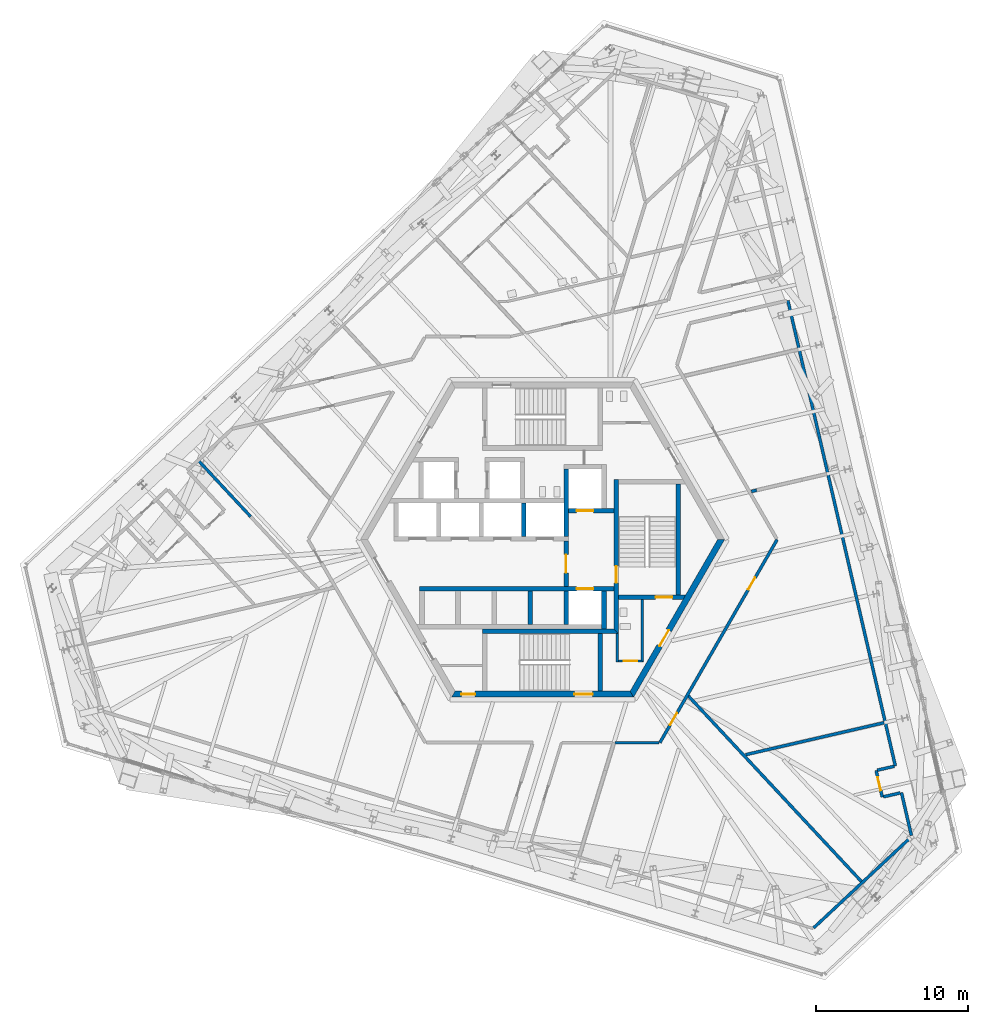
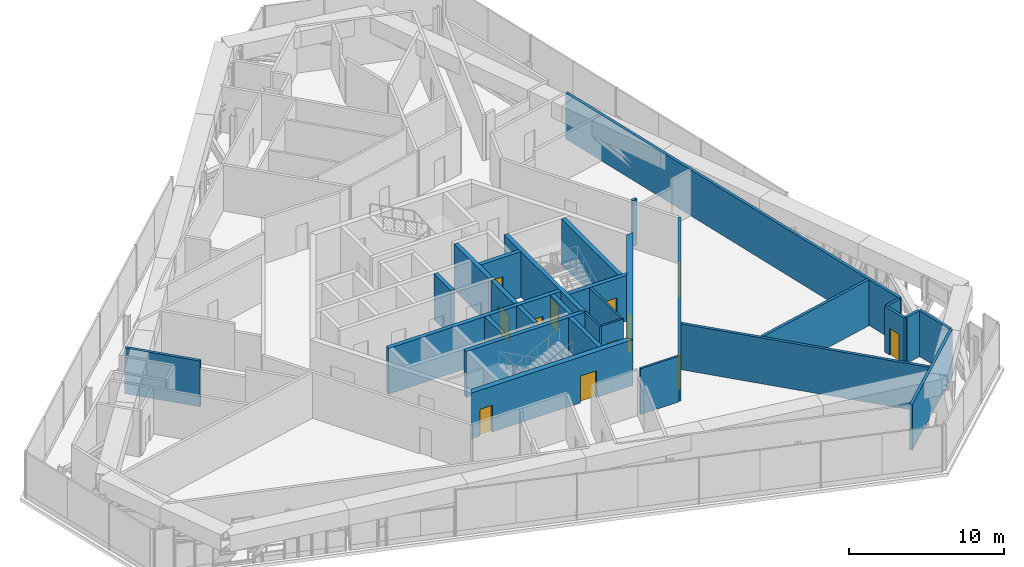
# One storey, part 19 of 31: 30 walls, 12 doors, 12 openings.
"""IFC4 building model written with IfcOpenShell, lengths in metres."""

from ifc_helpers import new_model, si_unit, direction, frame, frame_2d, origin, place, context, subcontext, project, spatial, polyline, rectangle, outline, extrude, source, transform, mapped, material, layer, layer_set, type_object, element, fill, save


model = new_model("IFC4")

# Units and contexts
model_context = context("Model", 3, precision=1e-05, world=origin(), true_north=direction((0.0, 1.0)))
body_context = subcontext(model_context, "Body", "Model", "MODEL_VIEW")
ifc_project = project(units=[si_unit("LENGTHUNIT", "METRE"), si_unit("AREAUNIT", "SQUARE_METRE"), si_unit("VOLUMEUNIT", "CUBIC_METRE"), si_unit("PLANEANGLEUNIT", "RADIAN"), si_unit("MASSUNIT", "GRAM", prefix="KILO")], contexts=[model_context])

# Site, building, storey
site_placement = place(None, origin())
site = spatial("IfcSite", under=ifc_project, at=site_placement, CompositionType="ELEMENT")
building_placement = place(site_placement, origin())
building = spatial("IfcBuilding", under=site, at=building_placement, Name="Triune Harvest Tower", CompositionType="ELEMENT")
storey_placement = place(building_placement, frame((0.0, 0.0, 134.300048828125)))
storey = spatial("IfcBuildingStorey", under=building, at=storey_placement, Name="L34", CompositionType="ELEMENT", Elevation=134.300048828125)

# Wall, opening, door
ifc_material_1 = material(Name="Concrete masonry unit", Category="masonry")
ifc_layer_1 = layer(ifc_material_1, 0.14990234375)
ifc_layer_set_1 = layer_set([ifc_layer_1], Name="Concrete masonry unit")
wall_type_1 = type_object("IfcWallType", Name="Block partition 150 unrated", PredefinedType="PARTITIONING", material=ifc_layer_set_1)
wall_1_placement = place(storey_placement, frame((5.0, -8.0, 0.0), z_axis=(0.0, 0.0, 1.0), x_axis=(1.0, 0.0, 0.0)))
wall_1 = element("IfcWall", 1, at=wall_1_placement, inside=storey, type_object=wall_type_1, Name="Wc acc south wall", PredefinedType="PARTITIONING", context=body_context, shape_type="SweptSolid", body=[
    extrude(outline(polyline([(0.0, -0.074951171875), (1.64990234375, -0.074951171875), (1.5, 0.074951171875), (0.0, 0.074951171875), (0.0, -0.074951171875)])), origin(), (0.0, 0.0, 1.0), 3.599853515625),
])
opening_1_placement = place(wall_1_placement, frame((0.33740234375, 0.0, 0.0)))
opening_1 = element("IfcOpeningElement", 2, at=opening_1_placement, cuts=wall_1, Name="Opening CD-WA", PredefinedType="OPENING", context=body_context, shape_type="SweptSolid", body=[
    extrude(rectangle(XDim=0.89990234375, YDim=2.10009765625, at=frame_2d((0.449951171875, 1.050048828125))), frame((0.0, 0.0849609375, 0.0), z_axis=(0.0, -1.0, 0.0), x_axis=(1.0, 0.0, 0.0)), (0.0, 0.0, 1.0), 0.169921875),
])
ifc_material_2 = material(Name="Timber C24", Category="wood")
door_type_1 = type_object("IfcDoorType", Name="WC door 900", OperationType="SINGLE_SWING_LEFT", PredefinedType="DOOR", material=ifc_material_2)
door_1_placement = place(opening_1_placement, origin())
door_1 = element("IfcDoor", 3, at=door_1_placement, inside=storey, type_object=door_type_1, Name="Door CD-WA", OperationType="SINGLE_SWING_LEFT", OverallHeight=2.10009765625, OverallWidth=0.89990234375, PredefinedType="DOOR", context=body_context, shape_type="SweptSolid", body=[
    extrude(rectangle(XDim=0.89990234375, YDim=2.10009765625, at=frame_2d((0.449951171875, 1.050048828125))), frame((0.0, 0.02490234375, 0.0), z_axis=(0.0, -1.0, 0.0), x_axis=(1.0, 0.0, 0.0)), (0.0, 0.0, 1.0), 0.050048828125),
])
fill(opening_1, door_1)

# Walls
wall_2_placement = place(storey_placement, frame((6.574951171875, -8.0, 0.0), z_axis=(0.0, 0.0, 1.0), x_axis=(0.0, 1.0, 0.0)))
element("IfcWall", 4, at=wall_2_placement, inside=storey, type_object=wall_type_1, Name="Wc acc east wall", PredefinedType="PARTITIONING", context=body_context, shape_type="SweptSolid", body=[
    extrude(outline(polyline([(-0.074951171875, -0.074951171875), (4.050048828125, -0.074951171875), (4.050048828125, 0.074951171875), (0.074951171875, 0.074951171875), (-0.074951171875, -0.074951171875)])), origin(), (0.0, 0.0, 1.0), 3.599853515625),
])
wall_3_placement = place(storey_placement, frame((4.925048828125, -8.074951171875, 0.0), z_axis=(0.0, 0.0, 1.0), x_axis=(0.0, 1.0, 0.0)))
element("IfcWall", 5, at=wall_3_placement, inside=storey, type_object=wall_type_1, Name="Wc acc west wall", PredefinedType="PARTITIONING", context=body_context, shape_type="SweptSolid", body=[
    extrude(rectangle(XDim=1.885009765625, YDim=0.14990234375, at=frame_2d((0.9423828125, 0.0))), origin(), (0.0, 0.0, 1.0), 3.599853515625),
])
ifc_material_3 = material(Name="Concrete 70 MPa", Category="concrete")
ifc_layer_2 = layer(ifc_material_3, 0.300048828125)
ifc_layer_set_2 = layer_set([ifc_layer_2], Name="Concrete 70 MPa")
wall_type_2 = type_object("IfcWallType", Name="Core wall 300", PredefinedType="SHEAR", material=ifc_layer_set_2)
wall_4_placement = place(storey_placement, frame((1.550048828125, 0.2099609375, 0.0), z_axis=(0.0, 0.0, 1.0), x_axis=(0.0, 1.0, 0.0)))
element("IfcWall", 6, at=wall_4_placement, inside=storey, type_object=wall_type_2, Name="Ff1 west wall", PredefinedType="SHEAR", context=body_context, shape_type="SweptSolid", body=[
    extrude(rectangle(XDim=4.449951171875, YDim=0.300048828125, at=frame_2d((2.22509765625, 0.0))), origin(), (0.0, 0.0, 1.0), 3.599853515625),
])

# Wall, opening, door
wall_5_placement = place(storey_placement, frame((-8.10009765625, -3.239990234375, 0.0), z_axis=(0.0, 0.0, 1.0), x_axis=(1.0, 0.0, 0.0)))
wall_5 = element("IfcWall", 7, at=wall_5_placement, inside=storey, type_object=wall_type_2, Name="South front wall", PredefinedType="SHEAR", context=body_context, shape_type="SweptSolid", body=[
    extrude(rectangle(XDim=12.800048828125, YDim=0.300048828125, at=frame_2d((6.39990234375, 0.0))), origin(), (0.0, 0.0, 1.0), 3.599853515625),
])
opening_2_placement = place(wall_5_placement, frame((10.35009765625, 0.0, 0.0)))
opening_2 = element("IfcOpeningElement", 8, at=opening_2_placement, cuts=wall_5, Name="Opening LD-FF2-34", PredefinedType="OPENING", context=body_context, shape_type="SweptSolid", body=[
    extrude(rectangle(XDim=1.10009765625, YDim=2.10009765625, at=frame_2d((0.550048828125, 1.050048828125))), frame((0.0, 0.16015625, 0.0), z_axis=(0.0, -1.0, 0.0), x_axis=(1.0, 0.0, 0.0)), (0.0, 0.0, 1.0), 0.320068359375),
])
ifc_material_4 = material(Name="Stainless steel AISI 304", Category="steel")
door_type_2 = type_object("IfcDoorType", Name="Landing door 1100 x 2100", OperationType="DOUBLE_DOOR_SLIDING", PredefinedType="DOOR", material=ifc_material_4)
door_2_placement = place(opening_2_placement, origin())
door_2 = element("IfcDoor", 9, at=door_2_placement, inside=storey, type_object=door_type_2, Name="Door LD-FF2-34", OperationType="DOUBLE_DOOR_SLIDING", OverallHeight=2.10009765625, OverallWidth=1.10009765625, PredefinedType="DOOR", context=body_context, shape_type="SweptSolid", body=[
    extrude(rectangle(XDim=1.10009765625, YDim=2.10009765625, at=frame_2d((0.550048828125, 1.050048828125))), frame((0.0, 0.02490234375, 0.0), z_axis=(0.0, -1.0, 0.0), x_axis=(1.0, 0.0, 0.0)), (0.0, 0.0, 1.0), 0.050048828125),
])
fill(opening_2, door_2)

wall_6_placement = place(storey_placement, frame((4.85009765625, -6.0400390625, 0.0), z_axis=(0.0, 0.0, 1.0), x_axis=(0.0, 1.0, 0.0)))
wall_6 = element("IfcWall", 10, at=wall_6_placement, inside=storey, type_object=wall_type_2, Name="Stair e west wall", PredefinedType="SHEAR", context=body_context, shape_type="SweptSolid", body=[
    extrude(outline(polyline([(-0.14990234375, -0.14990234375), (9.989990234375, -0.14990234375), (9.989990234375, 0.14990234375), (0.14990234375, 0.14990234375), (-0.14990234375, -0.14990234375)])), origin(), (0.0, 0.0, 1.0), 3.599853515625),
])
opening_3_placement = place(wall_6_placement, frame((3.18994140625, 0.0, 0.0)))
opening_3 = element("IfcOpeningElement", 11, at=opening_3_placement, cuts=wall_6, Name="Opening CD-S3L", PredefinedType="OPENING", context=body_context, shape_type="SweptSolid", body=[
    extrude(rectangle(XDim=1.10009765625, YDim=2.10009765625, at=frame_2d((0.550048828125, 1.050048828125))), frame((0.0, 0.16015625, 0.0), z_axis=(0.0, -1.0, 0.0), x_axis=(1.0, 0.0, 0.0)), (0.0, 0.0, 1.0), 0.320068359375),
])
ifc_material_5 = material(Name="Steel S235", Category="steel")
door_type_3 = type_object("IfcDoorType", Name="Stair door 1100 FD120", OperationType="SINGLE_SWING_LEFT", PredefinedType="DOOR", material=ifc_material_5)
door_3_placement = place(opening_3_placement, frame((1.10009765625, 0.0, 0.0), z_axis=(0.0, 0.0, 1.0), x_axis=(-1.0, 0.0, 0.0)))
door_3 = element("IfcDoor", 12, at=door_3_placement, inside=storey, type_object=door_type_3, Name="Door CD-S3L", OperationType="SINGLE_SWING_RIGHT", OverallHeight=2.10009765625, OverallWidth=1.10009765625, PredefinedType="DOOR", context=body_context, shape_type="SweptSolid", body=[
    extrude(rectangle(XDim=1.10009765625, YDim=2.10009765625, at=frame_2d((0.550048828125, 1.050048828125))), frame((0.0, 0.02490234375, 0.0), z_axis=(0.0, -1.0, 0.0), x_axis=(1.0, 0.0, 0.0)), (0.0, 0.0, 1.0), 0.050048828125),
])
fill(opening_3, door_3)

wall_7_placement = place(storey_placement, frame((5.0, -3.800048828125, 0.0), z_axis=(0.0, 0.0, 1.0), x_axis=(1.0, 0.0, 0.0)))
wall_7 = element("IfcWall", 13, at=wall_7_placement, inside=storey, type_object=wall_type_2, Name="Stair e south wall", PredefinedType="SHEAR", context=body_context, shape_type="SweptSolid", body=[
    extrude(outline(polyline([(0.0, -0.14990234375), (0.0, 0.14990234375), (4.43310546875, 0.14990234375), (4.260009765625, -0.14990234375), (0.0, -0.14990234375)])), origin(), (0.0, 0.0, 1.0), 3.599853515625),
])
opening_4_placement = place(wall_7_placement, frame((2.449951171875, 0.0, 0.0)))
opening_4 = element("IfcOpeningElement", 14, at=opening_4_placement, cuts=wall_7, Name="Opening CD-S3D", PredefinedType="OPENING", context=body_context, shape_type="SweptSolid", body=[
    extrude(rectangle(XDim=1.10009765625, YDim=2.10009765625, at=frame_2d((0.550048828125, 1.050048828125))), frame((0.0, 0.16015625, 0.0), z_axis=(0.0, -1.0, 0.0), x_axis=(1.0, 0.0, 0.0)), (0.0, 0.0, 1.0), 0.320068359375),
])
door_4_placement = place(opening_4_placement, frame((1.10009765625, 0.0, 0.0), z_axis=(0.0, 0.0, 1.0), x_axis=(-1.0, 0.0, 0.0)))
door_4 = element("IfcDoor", 15, at=door_4_placement, inside=storey, type_object=door_type_3, Name="Door CD-S3D", OperationType="SINGLE_SWING_RIGHT", OverallHeight=2.10009765625, OverallWidth=1.10009765625, PredefinedType="DOOR", context=body_context, shape_type="SweptSolid", body=[
    extrude(rectangle(XDim=1.10009765625, YDim=2.10009765625, at=frame_2d((0.550048828125, 1.050048828125))), frame((0.0, 0.02490234375, 0.0), z_axis=(0.0, -1.0, 0.0), x_axis=(1.0, 0.0, 0.0)), (0.0, 0.0, 1.0), 0.050048828125),
])
fill(opening_4, door_4)

# Walls
wall_8_placement = place(storey_placement, frame((8.949951171875, -3.64990234375, 0.0), z_axis=(0.0, 0.0, 1.0), x_axis=(0.0, 1.0, 0.0)))
element("IfcWall", 16, at=wall_8_placement, inside=storey, type_object=wall_type_2, Name="Stair e east wall", PredefinedType="SHEAR", context=body_context, shape_type="SweptSolid", body=[
    extrude(rectangle(XDim=7.2998046875, YDim=0.300048828125, at=frame_2d((3.64990234375, 0.0))), origin(), (0.0, 0.0, 1.0), 3.599853515625),
])
wall_9_placement = place(storey_placement, frame((-3.949951171875, -6.0400390625, 0.0), z_axis=(0.0, 0.0, 1.0), x_axis=(1.0, 0.0, 0.0)))
element("IfcWall", 17, at=wall_9_placement, inside=storey, type_object=wall_type_2, Name="Stair s north wall", PredefinedType="SHEAR", context=body_context, shape_type="SweptSolid", body=[
    extrude(outline(polyline([(0.0, -0.14990234375), (8.949951171875, -0.14990234375), (8.64990234375, 0.14990234375), (0.0, 0.14990234375), (0.0, -0.14990234375)])), origin(), (0.0, 0.0, 1.0), 3.599853515625),
])
ifc_material_6 = material(Name="Gypsum board on steel studs", Category="steel")
ifc_layer_3 = layer(ifc_material_6, 0.14990234375)
ifc_layer_set_3 = layer_set([ifc_layer_3], Name="Gypsum board on steel studs")
wall_type_3 = type_object("IfcWallType", Name="Fire Partition 150 mm", PredefinedType="PARTITIONING", material=ifc_layer_set_3)
wall_10_placement = place(storey_placement, frame((4.781494140625, -13.392333984375, 0.0), z_axis=(0.0, 0.0, 1.0), x_axis=(1.0, 0.0, 0.0)))
element("IfcWall", 18, at=wall_10_placement, inside=storey, type_object=wall_type_3, Name="Partition L34 030", PredefinedType="PARTITIONING", context=body_context, shape_type="SweptSolid", body=[
    extrude(rectangle(XDim=2.880615234375, YDim=0.14990234375, at=frame_2d((1.4404296875, 0.0))), origin(), (0.0, 0.0, 1.0), 3.599853515625),
])

# Wall, opening, door
ifc_material_7 = material(Name="Gypsum board on steel studs", Category="steel")
ifc_layer_4 = layer(ifc_material_7, 0.199951171875)
ifc_layer_set_4 = layer_set([ifc_layer_4], Name="Gypsum board on steel studs")
wall_type_4 = type_object("IfcWallType", Name="Fire Wall 200 mm", PredefinedType="PARTITIONING", material=ifc_layer_set_4)
wall_11_placement = place(storey_placement, frame((21.991943359375, -15.221923828125, 0.0), z_axis=(0.0, 0.0, 1.0), x_axis=(0.225008086135, -0.974356896201, 0.0)))
wall_11 = element("IfcWall", 19, at=wall_11_placement, inside=storey, type_object=wall_type_4, Name="Partition L34 003", PredefinedType="PARTITIONING", context=body_context, shape_type="SweptSolid", body=[
    extrude(rectangle(XDim=1.800048828125, YDim=0.199951171875, at=frame_2d((0.89990234375, 0.0))), origin(), (0.0, 0.0, 1.0), 3.599853515625),
])
opening_5_placement = place(wall_11_placement, frame((0.449951171875, 0.0, 0.0)))
opening_5 = element("IfcOpeningElement", 20, at=opening_5_placement, cuts=wall_11, Name="Opening L34-001", PredefinedType="OPENING", context=body_context, shape_type="SweptSolid", body=[
    extrude(rectangle(XDim=0.89990234375, YDim=2.10009765625, at=frame_2d((0.449951171875, 1.050048828125))), frame((0.0, 0.10986328125, 0.0), z_axis=(0.0, -1.0, 0.0), x_axis=(1.0, 0.0, 0.0)), (0.0, 0.0, 1.0), 0.219970703125),
])
ifc_material_8 = material(Name="Timber and steel door set", Category="steel")
door_type_4 = type_object("IfcDoorType", Name="Single leaf door FD60 left hand 900 x 2100", OperationType="SINGLE_SWING_LEFT", PredefinedType="DOOR", material=ifc_material_8)
door_5_placement = place(opening_5_placement, origin())
door_5 = element("IfcDoor", 21, at=door_5_placement, inside=storey, type_object=door_type_4, Name="Door L34-001 Switchgear Plant Room 34.01", OperationType="SINGLE_SWING_LEFT", OverallHeight=2.10009765625, OverallWidth=0.89990234375, PredefinedType="DOOR", context=body_context, shape_type="SweptSolid", body=[
    extrude(rectangle(XDim=0.89990234375, YDim=2.10009765625, at=frame_2d((0.449951171875, 1.050048828125))), frame((0.0, 0.02490234375, 0.0), z_axis=(0.0, -1.0, 0.0), x_axis=(1.0, 0.0, 0.0)), (0.0, 0.0, 1.0), 0.050048828125),
])
fill(opening_5, door_5)

# Walls
wall_12_placement = place(storey_placement, frame((16.172607421875, 15.763427734375, 0.0), z_axis=(0.0, 0.0, 1.0), x_axis=(0.22495629891, -0.974368853967, 0.0)))
element("IfcWall", 22, at=wall_12_placement, inside=storey, type_object=wall_type_4, Name="Partition L34 005", PredefinedType="PARTITIONING", context=body_context, shape_type="SweptSolid", body=[
    extrude(rectangle(XDim=31.500244140625, YDim=0.199951171875, at=frame_2d((15.75, 0.0))), origin(), (0.0, 0.0, 1.0), 3.599853515625),
])
wall_13_placement = place(storey_placement, frame((23.663818359375, -16.68359375, 0.0), z_axis=(0.0, 0.0, 1.0), x_axis=(0.224988598172, -0.974361396348, 0.0)))
element("IfcWall", 23, at=wall_13_placement, inside=storey, type_object=wall_type_4, Name="Partition L34 006", PredefinedType="PARTITIONING", context=body_context, shape_type="SweptSolid", body=[
    extrude(rectangle(XDim=2.900634765625, YDim=0.199951171875, at=frame_2d((1.4501953125, 0.0))), origin(), (0.0, 0.0, 1.0), 3.599853515625),
])
wall_14_placement = place(storey_placement, frame((-22.7041015625, 5.223388671875, 0.0), z_axis=(0.0, 0.0, 1.0), x_axis=(0.681986918567, -0.731364370819, 0.0)))
element("IfcWall", 24, at=wall_14_placement, inside=storey, type_object=wall_type_4, Name="Partition L34 013", PredefinedType="PARTITIONING", context=body_context, shape_type="SweptSolid", body=[
    extrude(rectangle(XDim=5.06787109375, YDim=0.199951171875, at=frame_2d((2.533935546875, 0.0))), origin(), (0.0, 0.0, 1.0), 3.599853515625),
])
wall_15_placement = place(storey_placement, frame((22.474853515625, -16.957763671875, 0.0), z_axis=(0.0, 0.0, 1.0), x_axis=(0.974391195695, 0.224859506699, 0.0)))
element("IfcWall", 25, at=wall_15_placement, inside=storey, type_object=wall_type_4, Name="Partition L34 033", PredefinedType="PARTITIONING", context=body_context, shape_type="SweptSolid", body=[
    extrude(rectangle(XDim=1.14013671875, YDim=0.199951171875, at=frame_2d((0.570068359375, 0.0))), origin(), (0.0, 0.0, 1.0), 3.599853515625),
])
wall_16_placement = place(storey_placement, frame((22.06982421875, -15.2041015625, 0.0), z_axis=(0.0, 0.0, 1.0), x_axis=(0.974355099397, 0.225015866725, 0.0)))
element("IfcWall", 26, at=wall_16_placement, inside=storey, type_object=wall_type_4, Name="Partition L34 034", PredefinedType="PARTITIONING", context=body_context, shape_type="SweptSolid", body=[
    extrude(rectangle(XDim=1.140380859375, YDim=0.199951171875, at=frame_2d((0.5703125, 0.0))), origin(), (0.0, 0.0, 1.0), 3.599853515625),
])
wall_17_placement = place(storey_placement, frame((13.39892578125, -14.17822265625, 0.0), z_axis=(0.0, 0.0, 1.0), x_axis=(0.974368326838, 0.224958582086, 0.0)))
element("IfcWall", 27, at=wall_17_placement, inside=storey, type_object=wall_type_4, Name="Partition L34 035", PredefinedType="PARTITIONING", context=body_context, shape_type="SweptSolid", body=[
    extrude(rectangle(XDim=9.3583984375, YDim=0.199951171875, at=frame_2d((4.67919921875, 0.0))), origin(), (0.0, 0.0, 1.0), 3.599853515625),
])
wall_18_placement = place(storey_placement, frame((13.76220703125, 3.17724609375, 0.0), z_axis=(0.0, 0.0, 1.0), x_axis=(0.97440260689, 0.224810052458, 0.0)))
element("IfcWall", 28, at=wall_18_placement, inside=storey, type_object=wall_type_4, Name="Partition L34 037", PredefinedType="PARTITIONING", context=body_context, shape_type="SweptSolid", body=[
    extrude(rectangle(XDim=0.360595703125, YDim=0.199951171875, at=frame_2d((0.18017578125, 0.0))), origin(), (0.0, 0.0, 1.0), 3.599853515625),
])
wall_19_placement = place(storey_placement, frame((17.86962890625, -25.604248046875, 0.0), z_axis=(0.0, 0.0, 1.0), x_axis=(0.731349213536, 0.68200317291, 0.0)))
element("IfcWall", 29, at=wall_19_placement, inside=storey, type_object=wall_type_4, Name="Partition L34 048", PredefinedType="PARTITIONING", context=body_context, shape_type="SweptSolid", body=[
    extrude(rectangle(XDim=8.836181640625, YDim=0.199951171875, at=frame_2d((4.41796875, 0.0))), origin(), (0.0, 0.0, 1.0), 3.599853515625),
])

# Wall, openings, doors
ifc_material_9 = material(Name="Concrete 70 MPa", Category="concrete")
ifc_layer_5 = layer(ifc_material_9, 0.39990234375)
ifc_layer_set_5 = layer_set([ifc_layer_5], Name="Concrete 70 MPa")
wall_type_5 = type_object("IfcWallType", Name="Core wall 400", PredefinedType="SHEAR", material=ifc_layer_set_5)
shared_shape_1 = source(origin(), body_context, "Body", "SweptSolid", [
    extrude(outline(polyline([(-0.115478515625, -0.199951171875), (11.884521484375, -0.199951171875), (11.653564453125, 0.199951171875), (0.115478515625, 0.199951171875), (-0.115478515625, -0.199951171875)])), origin(), (0.0, 0.0, 1.0), 3.599853515625),
])
wall_20_placement = place(storey_placement, frame((-5.884521484375, -10.1923828125, 0.0), z_axis=(0.0, 0.0, 1.0), x_axis=(1.0, 0.0, 0.0)))
wall_20 = element("IfcWall", 30, at=wall_20_placement, inside=storey, type_object=wall_type_5, Name="Hexagon 4 wall", PredefinedType="SHEAR", context=body_context, shape_type="MappedRepresentation", body=[
    mapped(shared_shape_1, transform((0.0, 0.0, 0.0), scale=1.0)),
])
opening_6_placement = place(wall_20_placement, frame((7.984619140625, 0.0, 0.0)))
opening_6 = element("IfcOpeningElement", 31, at=opening_6_placement, cuts=wall_20, Name="Opening CD-S2P", PredefinedType="OPENING", context=body_context, shape_type="SweptSolid", body=[
    extrude(rectangle(XDim=1.199951171875, YDim=2.10009765625, at=frame_2d((0.60009765625, 1.050048828125))), frame((0.0, 0.2099609375, 0.0), z_axis=(0.0, -1.0, 0.0), x_axis=(1.0, 0.0, 0.0)), (0.0, 0.0, 1.0), 0.419921875),
])
opening_7_placement = place(wall_20_placement, frame((0.534423828125, 0.0, 0.0)))
opening_7 = element("IfcOpeningElement", 32, at=opening_7_placement, cuts=wall_20, Name="Opening CD-SWS", PredefinedType="OPENING", context=body_context, shape_type="SweptSolid", body=[
    extrude(rectangle(XDim=0.89990234375, YDim=2.10009765625, at=frame_2d((0.449951171875, 1.050048828125))), frame((0.0, 0.2099609375, 0.0), z_axis=(0.0, -1.0, 0.0), x_axis=(1.0, 0.0, 0.0)), (0.0, 0.0, 1.0), 0.419921875),
])
ifc_material_10 = material(Name="Steel S235", Category="steel")
door_type_5 = type_object("IfcDoorType", Name="Riser door 900 FD120", OperationType="SINGLE_SWING_LEFT", PredefinedType="DOOR", material=ifc_material_10)
door_6_placement = place(opening_7_placement, frame((0.89990234375, 0.0, 0.0), z_axis=(0.0, 0.0, 1.0), x_axis=(-1.0, 0.0, 0.0)))
door_6 = element("IfcDoor", 33, at=door_6_placement, inside=storey, type_object=door_type_5, Name="Door CD-SWS", OperationType="SINGLE_SWING_RIGHT", OverallHeight=2.10009765625, OverallWidth=0.89990234375, PredefinedType="DOOR", context=body_context, shape_type="SweptSolid", body=[
    extrude(rectangle(XDim=0.89990234375, YDim=2.10009765625, at=frame_2d((0.449951171875, 1.050048828125))), frame((0.0, 0.02490234375, 0.0), z_axis=(0.0, -1.0, 0.0), x_axis=(1.0, 0.0, 0.0)), (0.0, 0.0, 1.0), 0.050048828125),
])
fill(opening_7, door_6)
ifc_material_11 = material(Name="Steel S235", Category="steel")
door_type_6 = type_object("IfcDoorType", Name="Stair door 1200 FD120", OperationType="SINGLE_SWING_LEFT", PredefinedType="DOOR", material=ifc_material_11)
door_7_placement = place(opening_6_placement, frame((1.199951171875, 0.0, 0.0), z_axis=(0.0, 0.0, 1.0), x_axis=(-1.0, 0.0, 0.0)))
door_7 = element("IfcDoor", 34, at=door_7_placement, inside=storey, type_object=door_type_6, Name="Door CD-S2P", OperationType="SINGLE_SWING_RIGHT", OverallHeight=2.10009765625, OverallWidth=1.199951171875, PredefinedType="DOOR", context=body_context, shape_type="SweptSolid", body=[
    extrude(rectangle(XDim=1.199951171875, YDim=2.10009765625, at=frame_2d((0.60009765625, 1.050048828125))), frame((0.0, 0.02490234375, 0.0), z_axis=(0.0, -1.0, 0.0), x_axis=(1.0, 0.0, 0.0)), (0.0, 0.0, 1.0), 0.050048828125),
])
fill(opening_6, door_7)

# Wall, opening, door
wall_21_placement = place(storey_placement, frame((5.884521484375, -10.1923828125, 0.0), z_axis=(0.0, 0.0, 1.0), x_axis=(0.499996592174, 0.866027371285, 0.0)))
wall_21 = element("IfcWall", 35, at=wall_21_placement, inside=storey, type_object=wall_type_5, Name="Hexagon 5 wall", PredefinedType="SHEAR", context=body_context, shape_type="MappedRepresentation", body=[
    mapped(shared_shape_1, transform((0.0, 0.0, 0.0), scale=1.0)),
])
opening_8_placement = place(wall_21_placement, frame((3.66455078125, 0.0, 0.0)))
opening_8 = element("IfcOpeningElement", 36, at=opening_8_placement, cuts=wall_21, Name="Opening CD-DP", PredefinedType="OPENING", context=body_context, shape_type="SweptSolid", body=[
    extrude(rectangle(XDim=1.199951171875, YDim=2.10009765625, at=frame_2d((0.60009765625, 1.050048828125))), frame((0.0, 0.2099609375, 0.0), z_axis=(0.0, -1.0, 0.0), x_axis=(1.0, 0.0, 0.0)), (0.0, 0.0, 1.0), 0.419921875),
])
door_8_placement = place(opening_8_placement, frame((1.199951171875, 0.0, 0.0), z_axis=(0.0, 0.0, 1.0), x_axis=(-1.0, 0.0, 0.0)))
door_8 = element("IfcDoor", 37, at=door_8_placement, inside=storey, type_object=door_type_6, Name="Door CD-DP", OperationType="SINGLE_SWING_RIGHT", OverallHeight=2.10009765625, OverallWidth=1.199951171875, PredefinedType="DOOR", context=body_context, shape_type="SweptSolid", body=[
    extrude(rectangle(XDim=1.199951171875, YDim=2.10009765625, at=frame_2d((0.60009765625, 1.050048828125))), frame((0.0, 0.02490234375, 0.0), z_axis=(0.0, -1.0, 0.0), x_axis=(1.0, 0.0, 0.0)), (0.0, 0.0, 1.0), 0.050048828125),
])
fill(opening_8, door_8)

# Wall
shared_shape_2 = source(origin(), body_context, "Body", "SweptSolid", [
    extrude(rectangle(XDim=2.5, YDim=0.300048828125, at=frame_2d((1.25, 0.0))), origin(), (0.0, 0.0, 1.0), 3.599853515625),
])
wall_22_placement = place(storey_placement, frame((4.050048828125, -5.889892578125, 0.0), z_axis=(0.0, 0.0, 1.0), x_axis=(0.0, 1.0, 0.0)))
element("IfcWall", 38, at=wall_22_placement, inside=storey, type_object=wall_type_2, Name="Ff2 east wall", PredefinedType="SHEAR", context=body_context, shape_type="MappedRepresentation", body=[
    mapped(shared_shape_2, transform((0.0, 0.0, 0.0), scale=1.0)),
])

# Wall, opening, door
shared_shape_3 = source(origin(), body_context, "Body", "SweptSolid", [
    extrude(rectangle(XDim=3.0, YDim=0.300048828125, at=frame_2d((1.5, 0.0))), origin(), (0.0, 0.0, 1.0), 3.599853515625),
])
wall_23_placement = place(storey_placement, frame((1.699951171875, 1.909912109375, 0.0), z_axis=(0.0, 0.0, 1.0), x_axis=(1.0, 0.0, 0.0)))
wall_23 = element("IfcWall", 39, at=wall_23_placement, inside=storey, type_object=wall_type_2, Name="Ff1 front wall", PredefinedType="SHEAR", context=body_context, shape_type="MappedRepresentation", body=[
    mapped(shared_shape_3, transform((0.0, 0.0, 0.0), scale=1.0)),
])
opening_9_placement = place(wall_23_placement, frame((0.550048828125, 0.0, 0.0)))
opening_9 = element("IfcOpeningElement", 40, at=opening_9_placement, cuts=wall_23, Name="Opening LD-FF1-34", PredefinedType="OPENING", context=body_context, shape_type="SweptSolid", body=[
    extrude(rectangle(XDim=1.10009765625, YDim=2.10009765625, at=frame_2d((0.550048828125, 1.050048828125))), frame((0.0, 0.16015625, 0.0), z_axis=(0.0, -1.0, 0.0), x_axis=(1.0, 0.0, 0.0)), (0.0, 0.0, 1.0), 0.320068359375),
])
door_9_placement = place(opening_9_placement, origin())
door_9 = element("IfcDoor", 41, at=door_9_placement, inside=storey, type_object=door_type_2, Name="Door LD-FF1-34", OperationType="DOUBLE_DOOR_SLIDING", OverallHeight=2.10009765625, OverallWidth=1.10009765625, PredefinedType="DOOR", context=body_context, shape_type="SweptSolid", body=[
    extrude(rectangle(XDim=1.10009765625, YDim=2.10009765625, at=frame_2d((0.550048828125, 1.050048828125))), frame((0.0, 0.02490234375, 0.0), z_axis=(0.0, -1.0, 0.0), x_axis=(1.0, 0.0, 0.0)), (0.0, 0.0, 1.0), 0.050048828125),
])
fill(opening_9, door_9)

wall_24_placement = place(storey_placement, frame((1.550048828125, -3.090087890625, 0.0), z_axis=(0.0, 0.0, 1.0), x_axis=(0.0, 1.0, 0.0)))
wall_24 = element("IfcWall", 42, at=wall_24_placement, inside=storey, type_object=wall_type_2, Name="Ff lobby west wall", PredefinedType="SHEAR", context=body_context, shape_type="MappedRepresentation", body=[
    mapped(shared_shape_3, transform((0.0, 0.0, 0.0), scale=1.0)),
])
opening_10_placement = place(wall_24_placement, frame((0.89990234375, 0.0, 0.0)))
opening_10 = element("IfcOpeningElement", 43, at=opening_10_placement, cuts=wall_24, Name="Opening CD-FL", PredefinedType="OPENING", context=body_context, shape_type="SweptSolid", body=[
    extrude(rectangle(XDim=1.199951171875, YDim=2.10009765625, at=frame_2d((0.60009765625, 1.050048828125))), frame((0.0, 0.16015625, 0.0), z_axis=(0.0, -1.0, 0.0), x_axis=(1.0, 0.0, 0.0)), (0.0, 0.0, 1.0), 0.320068359375),
])
ifc_material_12 = material(Name="Steel S235", Category="steel")
door_type_7 = type_object("IfcDoorType", Name="Firefighters' lobby door 1200 FD120", OperationType="SINGLE_SWING_LEFT", PredefinedType="DOOR", material=ifc_material_12)
door_10_placement = place(opening_10_placement, frame((1.199951171875, 0.0, 0.0), z_axis=(0.0, 0.0, 1.0), x_axis=(-1.0, 0.0, 0.0)))
door_10 = element("IfcDoor", 44, at=door_10_placement, inside=storey, type_object=door_type_7, Name="Door CD-FL", OperationType="SINGLE_SWING_RIGHT", OverallHeight=2.10009765625, OverallWidth=1.199951171875, PredefinedType="DOOR", context=body_context, shape_type="SweptSolid", body=[
    extrude(rectangle(XDim=1.199951171875, YDim=2.10009765625, at=frame_2d((0.60009765625, 1.050048828125))), frame((0.0, 0.02490234375, 0.0), z_axis=(0.0, -1.0, 0.0), x_axis=(1.0, 0.0, 0.0)), (0.0, 0.0, 1.0), 0.050048828125),
])
fill(opening_10, door_10)

# Walls
shared_shape_4 = source(origin(), body_context, "Body", "SweptSolid", [
    extrude(rectangle(XDim=2.2001953125, YDim=0.300048828125, at=frame_2d((1.10009765625, 0.0))), origin(), (0.0, 0.0, 1.0), 3.599853515625),
])
for number, where, z_axis, x_axis, name in (
    (45, (1.550048828125, -5.590087890625, 0.0), (0.0, 0.0, 1.0), (0.0, 1.0, 0.0), "Ff2 west wall"),
    (46, (-0.824951171875, -5.590087890625, 0.0), (0.0, 0.0, 1.0), (0.0, 1.0, 0.0), "South cross 3 wall"),
):
    element("IfcWall", number, at=place(storey_placement, frame(where, z_axis=z_axis, x_axis=x_axis)), inside=storey, type_object=wall_type_2, Name=name, PredefinedType="SHEAR", context=body_context, shape_type="MappedRepresentation", body=[
        mapped(shared_shape_4, transform((0.0, 0.0, 0.0), scale=1.0)),
    ])
shared_shape_5 = source(origin(), body_context, "Body", "SweptSolid", [
    extrude(rectangle(XDim=2.199951171875, YDim=0.300048828125, at=frame_2d((1.10009765625, 0.0))), origin(), (0.0, 0.0, 1.0), 3.599853515625),
])
wall_25_placement = place(storey_placement, frame((-1.25, 0.2099609375, 0.0), z_axis=(0.0, 0.0, 1.0), x_axis=(0.0, 1.0, 0.0)))
element("IfcWall", 47, at=wall_25_placement, inside=storey, type_object=wall_type_2, Name="North cross 3 wall", PredefinedType="SHEAR", context=body_context, shape_type="MappedRepresentation", body=[
    mapped(shared_shape_5, transform((0.0, 0.0, 0.0), scale=1.0)),
])
shared_shape_6 = source(origin(), body_context, "Body", "SweptSolid", [
    extrude(outline(polyline([(3.800048828125, -0.14990234375), (-0.00439453125, -0.14990234375), (-0.00439453125, 0.14990234375), (3.800048828125, 0.14990234375), (3.800048828125, -0.14990234375)])), origin(), (0.0, 0.0, 1.0), 3.599853515625),
])
wall_26_placement = place(storey_placement, frame((3.800048828125, -9.989990234375, 0.0), z_axis=(0.0, 0.0, 1.0), x_axis=(0.0, 1.0, 0.0)))
element("IfcWall", 48, at=wall_26_placement, inside=storey, type_object=wall_type_2, Name="Stair s east wall", PredefinedType="SHEAR", context=body_context, shape_type="MappedRepresentation", body=[
    mapped(shared_shape_6, transform((0.0, 0.0, 0.0), scale=1.0)),
])

# Wall, openings, doors
shared_shape_7 = source(origin(), body_context, "Body", "SweptSolid", [
    extrude(rectangle(XDim=15.464111328125, YDim=0.199951171875, at=frame_2d((7.73193359375, 0.0))), origin(), (0.0, 0.0, 1.0), 3.599853515625),
])
wall_27_placement = place(storey_placement, frame((7.732177734375, -13.392333984375, 0.0), z_axis=(0.0, 0.0, 1.0), x_axis=(0.499993499245, 0.866029156965, 0.0)))
wall_27 = element("IfcWall", 49, at=wall_27_placement, inside=storey, type_object=wall_type_4, Name="Partition L34 060", PredefinedType="PARTITIONING", context=body_context, shape_type="MappedRepresentation", body=[
    mapped(shared_shape_7, transform((0.0, 0.0, 0.0), scale=1.0)),
])
opening_11_placement = place(wall_27_placement, frame((11.665283203125, 0.0, 0.0)))
opening_11 = element("IfcOpeningElement", 50, at=opening_11_placement, cuts=wall_27, Name="Opening L34-002", PredefinedType="OPENING", context=body_context, shape_type="SweptSolid", body=[
    extrude(rectangle(XDim=0.89990234375, YDim=2.10009765625, at=frame_2d((0.449951171875, 1.050048828125))), frame((0.0, 0.10986328125, 0.0), z_axis=(0.0, -1.0, 0.0), x_axis=(1.0, 0.0, 0.0)), (0.0, 0.0, 1.0), 0.219970703125),
])
opening_12_placement = place(wall_27_placement, frame((1.35009765625, 0.0, 0.0)))
opening_12 = element("IfcOpeningElement", 51, at=opening_12_placement, cuts=wall_27, Name="Opening L34-024", PredefinedType="OPENING", context=body_context, shape_type="SweptSolid", body=[
    extrude(rectangle(XDim=0.89990234375, YDim=2.10009765625, at=frame_2d((0.449951171875, 1.050048828125))), frame((0.0, 0.10986328125, 0.0), z_axis=(0.0, -1.0, 0.0), x_axis=(1.0, 0.0, 0.0)), (0.0, 0.0, 1.0), 0.219970703125),
])
door_11_placement = place(opening_11_placement, origin())
door_11 = element("IfcDoor", 52, at=door_11_placement, inside=storey, type_object=door_type_4, Name="Door L34-002 Water Tank Room 34.02", OperationType="SINGLE_SWING_LEFT", OverallHeight=2.10009765625, OverallWidth=0.89990234375, PredefinedType="DOOR", context=body_context, shape_type="SweptSolid", body=[
    extrude(rectangle(XDim=0.89990234375, YDim=2.10009765625, at=frame_2d((0.449951171875, 1.050048828125))), frame((0.0, 0.02490234375, 0.0), z_axis=(0.0, -1.0, 0.0), x_axis=(1.0, 0.0, 0.0)), (0.0, 0.0, 1.0), 0.050048828125),
])
fill(opening_11, door_11)
ifc_material_13 = material(Name="Timber and steel door set", Category="steel")
door_type_8 = type_object("IfcDoorType", Name="Single leaf door FD60 right hand 900 x 2100", OperationType="SINGLE_SWING_RIGHT", PredefinedType="DOOR", material=ifc_material_13)
door_12_placement = place(opening_12_placement, origin())
door_12 = element("IfcDoor", 53, at=door_12_placement, inside=storey, type_object=door_type_8, Name="Door L34-024 Pump Plant Room 34.24", OperationType="SINGLE_SWING_RIGHT", OverallHeight=2.10009765625, OverallWidth=0.89990234375, PredefinedType="DOOR", context=body_context, shape_type="SweptSolid", body=[
    extrude(rectangle(XDim=0.89990234375, YDim=2.10009765625, at=frame_2d((0.449951171875, 1.050048828125))), frame((0.0, 0.02490234375, 0.0), z_axis=(0.0, -1.0, 0.0), x_axis=(1.0, 0.0, 0.0)), (0.0, 0.0, 1.0), 0.050048828125),
])
fill(opening_12, door_12)

# Wall
shared_shape_8 = source(origin(), body_context, "Body", "SweptSolid", [
    extrude(rectangle(XDim=16.90869140625, YDim=0.199951171875, at=frame_2d((8.454345703125, 0.0))), origin(), (0.0, 0.0, 1.0), 3.599853515625),
])
wall_28_placement = place(storey_placement, frame((9.55078125, -10.2421875, 0.0), z_axis=(0.0, 0.0, 1.0), x_axis=(0.682000258808, -0.731351931006, 0.0)))
element("IfcWall", 54, at=wall_28_placement, inside=storey, type_object=wall_type_4, Name="Partition L34 016", PredefinedType="PARTITIONING", context=body_context, shape_type="MappedRepresentation", body=[
    mapped(shared_shape_8, transform((0.0, 0.0, 0.0), scale=1.0)),
])

save(model, "model.ifc")
